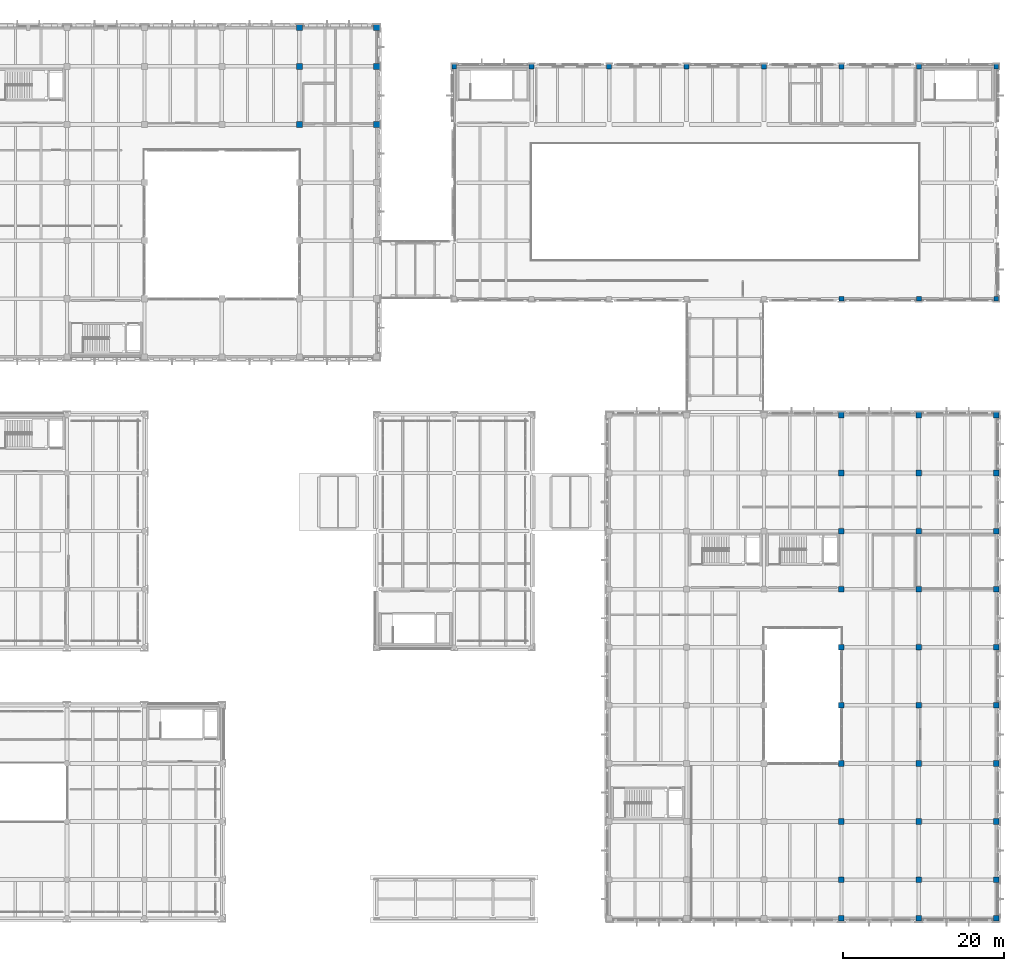
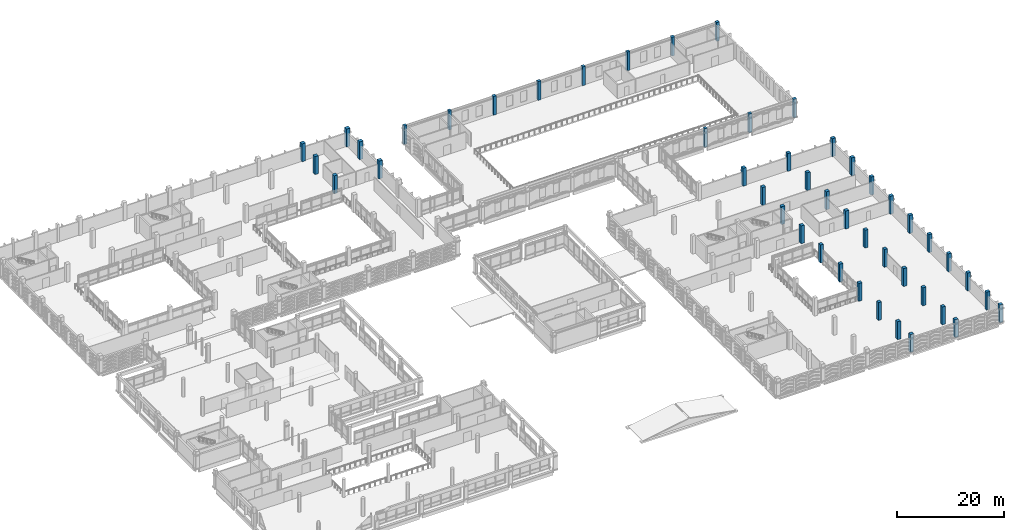
# One storey, part 8 of 180: 47 columns.
"""IFC4 building model written with IfcOpenShell, lengths in metres."""

from ifc_helpers import new_model, si_unit, direction, frame, origin, origin_2d, place, context, subcontext, project, spatial, rectangle, extrude, material, material_profile, profile_set, type_object, element, save


model = new_model("IFC4")

# Units and contexts
model_context = context("Model", 3, precision=1e-05, world=origin(), true_north=direction((0.0, 1.0)))
body_context = subcontext(model_context, "Body", "Model", "MODEL_VIEW")
ifc_project = project(units=[si_unit("LENGTHUNIT", "METRE"), si_unit("AREAUNIT", "SQUARE_METRE"), si_unit("VOLUMEUNIT", "CUBIC_METRE"), si_unit("PLANEANGLEUNIT", "RADIAN"), si_unit("MASSUNIT", "GRAM", prefix="KILO")], contexts=[model_context])

# Site, building, storey
site_placement = place(None, origin())
site = spatial("IfcSite", under=ifc_project, at=site_placement, CompositionType="ELEMENT")
building_placement = place(site_placement, origin())
building = spatial("IfcBuilding", under=site, at=building_placement, Name="Asteropetra Specialist Clinic", CompositionType="ELEMENT")
storey_placement = place(building_placement, frame((0.0, 0.0, 4.419921875)))
storey = spatial("IfcBuildingStorey", under=building, at=storey_placement, Name="L01", CompositionType="ELEMENT", Elevation=4.419921875)

# Columns
ifc_material_1 = material(Name="Concrete C35/45", Category="concrete")
ifc_material_profile_1 = material_profile(ifc_material_1, rectangle(XDim=0.60009765625, YDim=0.60009765625, at=origin_2d()), Name="RC 600x600")
ifc_profile_set_1 = profile_set([ifc_material_profile_1], Name="Concrete C35/45")
column_type_1 = type_object("IfcColumnType", Name="COL-RC600", PredefinedType="COLUMN", material=ifc_profile_set_1)
for number, where, z_axis, x_axis, name in (
    (1, (86.39990234375, 105.60009765625, 0.0), (0.0, 0.0, 1.0), (1.0, 0.0, 0.0), "Column CCOL05-0607"),
    (2, (96.0, 105.60009765625, 0.0), (0.0, 0.0, 1.0), (1.0, 0.0, 0.0), "Column CCOL05-0629"),
    (3, (105.60009765625, 105.60009765625, 0.0), (0.0, 0.0, 1.0), (1.0, 0.0, 0.0), "Column CCOL05-0683"),
    (4, (115.199951171875, 105.60009765625, 0.0), (0.0, 0.0, 1.0), (1.0, 0.0, 0.0), "Column CCOL05-0733"),
    (5, (124.800048828125, 105.60009765625, 0.0), (0.0, 0.0, 1.0), (1.0, 0.0, 0.0), "Column CCOL05-0795"),
    (6, (134.39990234375, 76.800048828125, 0.0), (0.0, 0.0, 1.0), (1.0, 0.0, 0.0), "Column CCOL05-0841"),
    (7, (134.39990234375, 105.60009765625, 0.0), (0.0, 0.0, 1.0), (1.0, 0.0, 0.0), "Column CCOL05-0845"),
    (8, (144.0, 76.800048828125, 0.0), (0.0, 0.0, 1.0), (1.0, 0.0, 0.0), "Column CCOL05-0883"),
    (9, (144.0, 105.60009765625, 0.0), (0.0, 0.0, 1.0), (1.0, 0.0, 0.0), "Column CCOL05-0888"),
    (10, (153.60009765625, 76.800048828125, 0.0), (0.0, 0.0, 1.0), (1.0, 0.0, 0.0), "Column CCOL05-0926"),
    (11, (153.60009765625, 105.60009765625, 0.0), (0.0, 0.0, 1.0), (1.0, 0.0, 0.0), "Column CCOL05-0931"),
):
    element("IfcColumn", number, at=place(storey_placement, frame(where, z_axis=z_axis, x_axis=x_axis)), inside=storey, type_object=column_type_1, Name=name, PredefinedType="COLUMN", context=body_context, shape_type="SweptSolid", body=[
        extrude(rectangle(XDim=0.60009765625, YDim=0.60009765625, at=origin_2d()), origin(), (0.0, 0.0, 1.0), 4.280029296875),
    ])
ifc_material_2 = material(Name="Concrete C35/45", Category="concrete")
ifc_material_profile_2 = material_profile(ifc_material_2, rectangle(XDim=0.699951171875, YDim=0.699951171875, at=origin_2d()), Name="RC 700x700")
ifc_profile_set_2 = profile_set([ifc_material_profile_2], Name="Concrete C35/45")
column_type_2 = type_object("IfcColumnType", Name="COL-RC700", PredefinedType="COLUMN", material=ifc_profile_set_2)
for number, where, z_axis, x_axis, name in (
    (12, (134.39990234375, 0.0, 0.0), (0.0, 0.0, 1.0), (1.0, 0.0, 0.0), "Column CCOL03-0797"),
    (13, (134.39990234375, 4.800048828125, 0.0), (0.0, 0.0, 1.0), (1.0, 0.0, 0.0), "Column CCOL03-0802"),
    (14, (134.39990234375, 12.0, 0.0), (0.0, 0.0, 1.0), (1.0, 0.0, 0.0), "Column CCOL03-0807"),
    (15, (134.39990234375, 19.199951171875, 0.0), (0.0, 0.0, 1.0), (1.0, 0.0, 0.0), "Column CCOL03-0812"),
    (16, (134.39990234375, 26.39990234375, 0.0), (0.0, 0.0, 1.0), (1.0, 0.0, 0.0), "Column CCOL03-0817"),
    (17, (134.39990234375, 33.60009765625, 0.0), (0.0, 0.0, 1.0), (1.0, 0.0, 0.0), "Column CCOL03-0822"),
    (18, (134.39990234375, 40.800048828125, 0.0), (0.0, 0.0, 1.0), (1.0, 0.0, 0.0), "Column CCOL03-0827"),
    (19, (134.39990234375, 48.0, 0.0), (0.0, 0.0, 1.0), (1.0, 0.0, 0.0), "Column CCOL03-0832"),
    (20, (134.39990234375, 55.199951171875, 0.0), (0.0, 0.0, 1.0), (1.0, 0.0, 0.0), "Column CCOL03-0837"),
    (21, (134.39990234375, 62.39990234375, 0.0), (0.0, 0.0, 1.0), (1.0, 0.0, 0.0), "Column CCOL03-0839"),
    (22, (144.0, 0.0, 0.0), (0.0, 0.0, 1.0), (1.0, 0.0, 0.0), "Column CCOL03-0847"),
    (23, (144.0, 4.800048828125, 0.0), (0.0, 0.0, 1.0), (1.0, 0.0, 0.0), "Column CCOL03-0851"),
    (24, (144.0, 12.0, 0.0), (0.0, 0.0, 1.0), (1.0, 0.0, 0.0), "Column CCOL03-0855"),
    (25, (144.0, 19.199951171875, 0.0), (0.0, 0.0, 1.0), (1.0, 0.0, 0.0), "Column CCOL03-0859"),
    (26, (144.0, 26.39990234375, 0.0), (0.0, 0.0, 1.0), (1.0, 0.0, 0.0), "Column CCOL03-0863"),
    (27, (144.0, 33.60009765625, 0.0), (0.0, 0.0, 1.0), (1.0, 0.0, 0.0), "Column CCOL03-0867"),
    (28, (144.0, 40.800048828125, 0.0), (0.0, 0.0, 1.0), (1.0, 0.0, 0.0), "Column CCOL03-0871"),
    (29, (144.0, 48.0, 0.0), (0.0, 0.0, 1.0), (1.0, 0.0, 0.0), "Column CCOL03-0875"),
    (30, (144.0, 55.199951171875, 0.0), (0.0, 0.0, 1.0), (1.0, 0.0, 0.0), "Column CCOL03-0879"),
    (31, (144.0, 62.39990234375, 0.0), (0.0, 0.0, 1.0), (1.0, 0.0, 0.0), "Column CCOL03-0881"),
    (32, (153.60009765625, 0.0, 0.0), (0.0, 0.0, 1.0), (1.0, 0.0, 0.0), "Column CCOL03-0890"),
    (33, (153.60009765625, 4.800048828125, 0.0), (0.0, 0.0, 1.0), (1.0, 0.0, 0.0), "Column CCOL03-0894"),
    (34, (153.60009765625, 12.0, 0.0), (0.0, 0.0, 1.0), (1.0, 0.0, 0.0), "Column CCOL03-0898"),
    (35, (153.60009765625, 19.199951171875, 0.0), (0.0, 0.0, 1.0), (1.0, 0.0, 0.0), "Column CCOL03-0902"),
    (36, (153.60009765625, 26.39990234375, 0.0), (0.0, 0.0, 1.0), (1.0, 0.0, 0.0), "Column CCOL03-0906"),
    (37, (153.60009765625, 33.60009765625, 0.0), (0.0, 0.0, 1.0), (1.0, 0.0, 0.0), "Column CCOL03-0910"),
    (38, (153.60009765625, 40.800048828125, 0.0), (0.0, 0.0, 1.0), (1.0, 0.0, 0.0), "Column CCOL03-0914"),
    (39, (153.60009765625, 48.0, 0.0), (0.0, 0.0, 1.0), (1.0, 0.0, 0.0), "Column CCOL03-0918"),
    (40, (153.60009765625, 55.199951171875, 0.0), (0.0, 0.0, 1.0), (1.0, 0.0, 0.0), "Column CCOL03-0922"),
    (41, (153.60009765625, 62.39990234375, 0.0), (0.0, 0.0, 1.0), (1.0, 0.0, 0.0), "Column CCOL03-0924"),
):
    element("IfcColumn", number, at=place(storey_placement, frame(where, z_axis=z_axis, x_axis=x_axis)), inside=storey, type_object=column_type_2, Name=name, PredefinedType="COLUMN", context=body_context, shape_type="SweptSolid", body=[
        extrude(rectangle(XDim=0.699951171875, YDim=0.699951171875, at=origin_2d()), origin(), (0.0, 0.0, 1.0), 4.080078125),
    ])
ifc_material_3 = material(Name="Concrete C35/45", Category="concrete")
ifc_material_profile_3 = material_profile(ifc_material_3, rectangle(XDim=0.75, YDim=0.75, at=origin_2d()), Name="RC 750x750")
ifc_profile_set_3 = profile_set([ifc_material_profile_3], Name="Concrete C35/45")
column_type_3 = type_object("IfcColumnType", Name="COL-RC750", PredefinedType="COLUMN", material=ifc_profile_set_3)
for number, where, z_axis, x_axis, name in (
    (42, (67.199951171875, 98.39990234375, 0.0), (0.0, 0.0, 1.0), (1.0, 0.0, 0.0), "Column CCOL02-0544"),
    (43, (67.199951171875, 105.60009765625, 0.0), (0.0, 0.0, 1.0), (1.0, 0.0, 0.0), "Column CCOL02-0546"),
    (44, (67.199951171875, 110.39990234375, 0.0), (0.0, 0.0, 1.0), (1.0, 0.0, 0.0), "Column CCOL02-0548"),
    (45, (76.800048828125, 98.39990234375, 0.0), (0.0, 0.0, 1.0), (1.0, 0.0, 0.0), "Column CCOL02-0573"),
    (46, (76.800048828125, 105.60009765625, 0.0), (0.0, 0.0, 1.0), (1.0, 0.0, 0.0), "Column CCOL02-0575"),
    (47, (76.800048828125, 110.39990234375, 0.0), (0.0, 0.0, 1.0), (1.0, 0.0, 0.0), "Column CCOL02-0577"),
):
    element("IfcColumn", number, at=place(storey_placement, frame(where, z_axis=z_axis, x_axis=x_axis)), inside=storey, type_object=column_type_3, Name=name, PredefinedType="COLUMN", context=body_context, shape_type="SweptSolid", body=[
        extrude(rectangle(XDim=0.75, YDim=0.75, at=origin_2d()), origin(), (0.0, 0.0, 1.0), 4.080078125),
    ])

save(model, "model.ifc")
